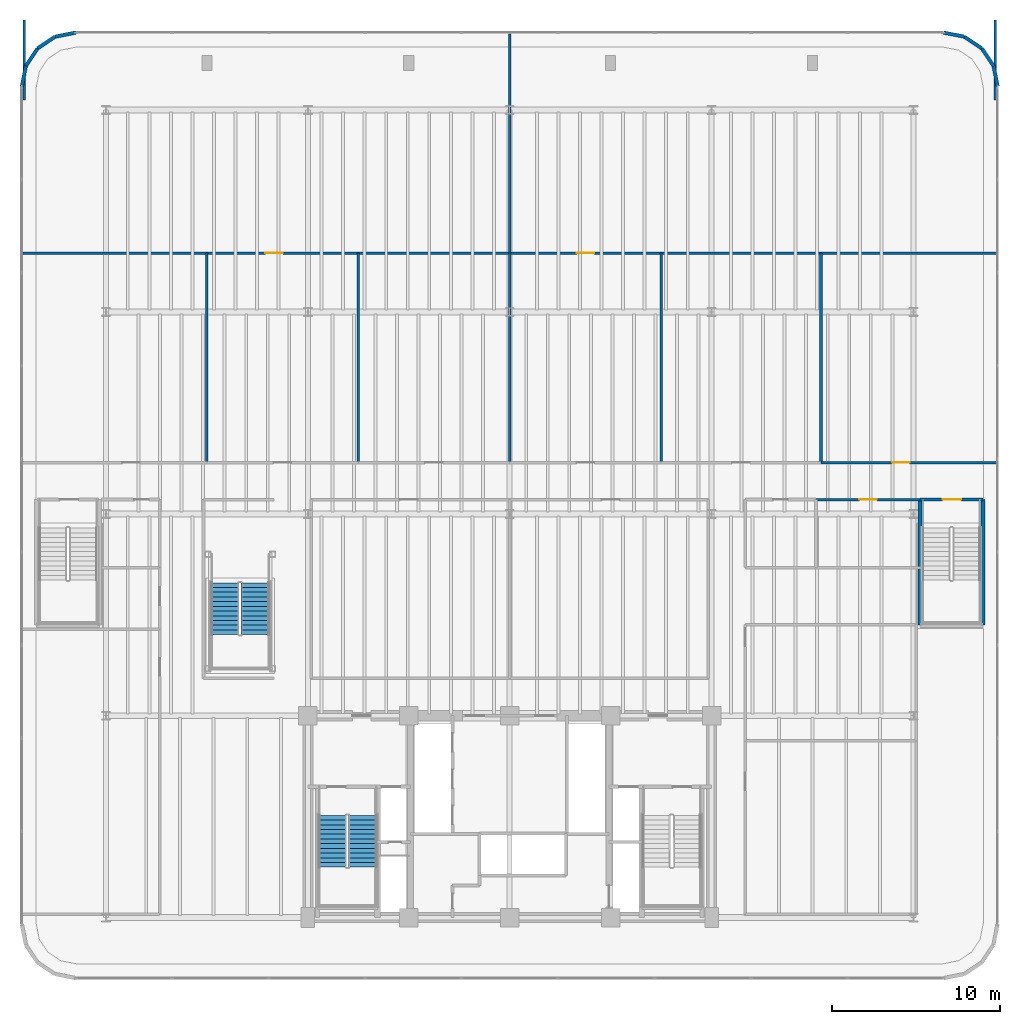
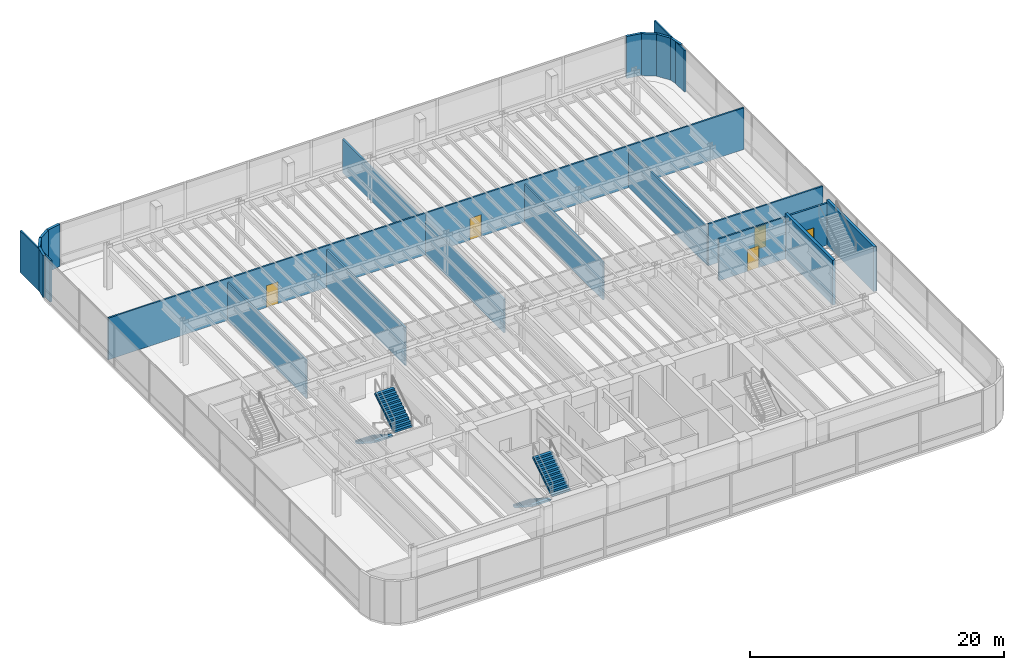
# One storey, part 14 of 18: 23 walls, 5 doors, 4 stair flights, 5 openings, 2 elements without a shape of their own.
"""IFC4 building model written with IfcOpenShell, lengths in metres."""

from ifc_helpers import new_model, si_unit, direction, frame, frame_2d, origin, origin_2d, place, context, subcontext, project, spatial, polyline, rectangle, outline, extrude, source, transform, mapped, material, layer, layer_set, type_object, element, fill, aggregate, save


model = new_model("IFC4")

# Units and contexts
model_context = context("Model", 3, precision=1e-05, world=origin(), true_north=direction((0.0, 1.0)))
body_context = subcontext(model_context, "Body", "Model", "MODEL_VIEW")
ifc_project = project(units=[si_unit("LENGTHUNIT", "METRE"), si_unit("AREAUNIT", "SQUARE_METRE"), si_unit("VOLUMEUNIT", "CUBIC_METRE"), si_unit("PLANEANGLEUNIT", "RADIAN"), si_unit("MASSUNIT", "GRAM", prefix="KILO")], contexts=[model_context])

# Site, building, storey
site_placement = place(None, origin())
site = spatial("IfcSite", under=ifc_project, at=site_placement, CompositionType="ELEMENT")
building_placement = place(site_placement, origin())
building = spatial("IfcBuilding", under=site, at=building_placement, Name="Brelvock Crest Care Tower", CompositionType="ELEMENT")
storey_placement = place(building_placement, frame((0.0, 0.0, 5.39990234375)))
storey = spatial("IfcBuildingStorey", under=building, at=storey_placement, Name="L01", CompositionType="ELEMENT", Elevation=5.39990234375)

# Walls
ifc_material_1 = material(Name="Concrete S80 (80 MPa)", Category="concrete")
ifc_layer_1 = layer(ifc_material_1, 0.25, Name="WL-CS6")
ifc_layer_set_1 = layer_set([ifc_layer_1], Name="Concrete S80 (80 MPa)")
wall_type_1 = type_object("IfcWallType", Name="WL-CS6", PredefinedType="SHEAR", material=ifc_layer_set_1)
for number, where, z_axis, x_axis, name in (
    (1, (60.3798828125, 23.3798828125, 0.0), (0.0, 0.0, 1.0), (0.0, 1.0, 0.0), "L01 Podium Stair ST-4 West Shear Wall"),
    (2, (64.1201171875, 23.3798828125, 0.0), (0.0, 0.0, 1.0), (0.0, 1.0, 0.0), "L01 Podium Stair ST-4 East Shear Wall"),
):
    element("IfcWall", number, at=place(storey_placement, frame(where, z_axis=z_axis, x_axis=x_axis)), inside=storey, type_object=wall_type_1, Name=name, PredefinedType="SHEAR", context=body_context, shape_type="SweptSolid", body=[
        extrude(rectangle(XDim=7.47021484375, YDim=0.25, at=frame_2d((3.735107421875, 0.0))), origin(), (0.0, 0.0, 1.0), 4.320068359375),
    ])
ifc_material_2 = material(Name="Precast concrete N40 (40 MPa)", Category="concrete")
ifc_layer_2 = layer(ifc_material_2, 0.215087890625, Name="WL-EX2")
ifc_layer_set_2 = layer_set([ifc_layer_2], Name="Precast concrete N40 (40 MPa)")
wall_type_2 = type_object("IfcWallType", Name="WL-EX2", PredefinedType="SOLIDWALL", material=ifc_layer_set_2)
for number, where, z_axis, x_axis, name in (
    (3, (7.0, 55.39990234375, 0.0), (0.0, 0.0, 1.0), (0.195138390419, 0.980775717779, 0.0), "L01 Rounded Corner Wall 05"),
    (4, (7.24365234375, 56.62451171875, 0.0), (0.0, 0.0, 1.0), (0.555557312883, 0.831478245117, 0.0), "L01 Rounded Corner Wall 06"),
    (5, (7.937255859375, 57.66259765625, 0.0), (0.0, 0.0, 1.0), (0.831387912822, 0.555692485475, 0.0), "L01 Rounded Corner Wall 07"),
    (6, (8.975341796875, 58.3564453125, 0.0), (0.0, 0.0, 1.0), (0.980775717779, 0.195138390419, 0.0), "L01 Rounded Corner Wall 08"),
    (7, (61.800048828125, 58.60009765625, 0.0), (0.0, 0.0, 1.0), (0.980775717779, -0.195138390419, 0.0), "L01 Rounded Corner Wall 10"),
    (8, (63.024658203125, 58.3564453125, 0.0), (0.0, 0.0, 1.0), (0.831387912822, -0.555692485475, 0.0), "L01 Rounded Corner Wall 11"),
    (9, (64.062744140625, 57.66259765625, 0.0), (0.0, 0.0, 1.0), (0.555557312883, -0.831478245117, 0.0), "L01 Rounded Corner Wall 12"),
    (10, (64.75634765625, 56.62451171875, 0.0), (0.0, 0.0, 1.0), (0.195138390419, -0.980775717779, 0.0), "L01 Rounded Corner Wall 13"),
):
    element("IfcWall", number, at=place(storey_placement, frame(where, z_axis=z_axis, x_axis=x_axis)), inside=storey, type_object=wall_type_2, Name=name, PredefinedType="SOLIDWALL", context=body_context, shape_type="SweptSolid", body=[
        extrude(rectangle(XDim=1.24853515625, YDim=0.215087890625, at=frame_2d((0.624267578125, 0.0))), origin(), (0.0, 0.0, 1.0), 4.0400390625),
    ])

# Wall, opening, door
ifc_material_3 = material(Name="Masonry Blockwork Acoustic Partition", Category="masonry")
ifc_layer_3 = layer(ifc_material_3, 0.14990234375, Name="WL-INT1")
ifc_layer_set_3 = layer_set([ifc_layer_3], Name="Masonry Blockwork Acoustic Partition")
wall_type_3 = type_object("IfcWallType", Name="WL-INT1", PredefinedType="PARTITIONING", material=ifc_layer_set_3)
wall_1_placement = place(storey_placement, frame((54.199951171875, 30.85009765625, 0.0), z_axis=(0.0, 0.0, 1.0), x_axis=(1.0, 0.0, 0.0)))
wall_1 = element("IfcWall", 11, at=wall_1_placement, inside=storey, type_object=wall_type_3, Name="L01 Interior Wall WL-RM-L01-REC2", PredefinedType="PARTITIONING", context=body_context, shape_type="SweptSolid", body=[
    extrude(rectangle(XDim=6.25, YDim=0.14990234375, at=frame_2d((3.125, 0.0))), origin(), (0.0, 0.0, 1.0), 4.010009765625),
])
opening_1_placement = place(wall_1_placement, frame((2.574951171875, 0.0, 0.0)))
opening_1 = element("IfcOpeningElement", 12, at=opening_1_placement, cuts=wall_1, Name="Opening CLD-1", PredefinedType="OPENING", context=body_context, shape_type="SweptSolid", body=[
    extrude(rectangle(XDim=1.050048828125, YDim=2.10009765625, at=origin_2d()), frame((0.52490234375, 0.0849609375, 1.050048828125), z_axis=(0.0, -1.0, 0.0), x_axis=(1.0, 0.0, 0.0)), (0.0, 0.0, 1.0), 0.169921875),
])
ifc_material_4 = material(Name="Engineered Hardwood Timber", Category="wood")
door_type_1 = type_object("IfcDoorType", Name="DR-CLN1", OperationType="NOTDEFINED", PredefinedType="DOOR", material=ifc_material_4)
shared_shape_1 = source(origin(), body_context, "Body", "SweptSolid", [
    extrude(rectangle(XDim=1.050048828125, YDim=2.10009765625, at=origin_2d()), frame((0.52490234375, 0.02490234375, 1.050048828125), z_axis=(0.0, -1.0, 0.0), x_axis=(1.0, 0.0, 0.0)), (0.0, 0.0, 1.0), 0.050048828125),
])
door_1_placement = place(opening_1_placement, origin())
door_1 = element("IfcDoor", 13, at=door_1_placement, inside=storey, type_object=door_type_1, Name="L01 Imaging Reception Office Door REC2", OperationType="SINGLE_SWING_LEFT", OverallHeight=2.10009765625, OverallWidth=1.050048828125, PredefinedType="DOOR", context=body_context, shape_type="MappedRepresentation", body=[
    mapped(shared_shape_1, transform((0.0, 0.0, 0.0), x_axis=(1.0, 0.0, 0.0), y_axis=(0.0, 1.0, 0.0), z_axis=(0.0, 0.0, 1.0), scale=1.0)),
])
fill(opening_1, door_1)

wall_2_placement = place(storey_placement, frame((54.5, 33.050048828125, 0.0), z_axis=(0.0, 0.0, 1.0), x_axis=(1.0, 0.0, 0.0)))
wall_2 = element("IfcWall", 14, at=wall_2_placement, inside=storey, type_object=wall_type_3, Name="L01 Interior Wall WL-RM-L01-CL8A", PredefinedType="PARTITIONING", context=body_context, shape_type="SweptSolid", body=[
    extrude(rectangle(XDim=10.419921875, YDim=0.14990234375, at=frame_2d((5.2099609375, 0.0))), origin(), (0.0, 0.0, 1.0), 4.010009765625),
])
opening_2_placement = place(wall_2_placement, frame((4.22509765625, 0.0, 0.0)))
opening_2 = element("IfcOpeningElement", 15, at=opening_2_placement, cuts=wall_2, Name="Opening CD-1", PredefinedType="OPENING", context=body_context, shape_type="SweptSolid", body=[
    extrude(rectangle(XDim=1.050048828125, YDim=2.10009765625, at=origin_2d()), frame((0.52490234375, 0.0849609375, 1.050048828125), z_axis=(0.0, -1.0, 0.0), x_axis=(1.0, 0.0, 0.0)), (0.0, 0.0, 1.0), 0.169921875),
])
door_type_2 = type_object("IfcDoorType", Name="DR-CARE1", OperationType="NOTDEFINED", PredefinedType="DOOR", material=ifc_material_4)
shared_shape_2 = source(origin(), body_context, "Body", "SweptSolid", [
    extrude(rectangle(XDim=1.050048828125, YDim=2.10009765625, at=origin_2d()), frame((0.52490234375, 0.02490234375, 1.050048828125), z_axis=(0.0, -1.0, 0.0), x_axis=(1.0, 0.0, 0.0)), (0.0, 0.0, 1.0), 0.050048828125),
])
door_2_placement = place(opening_2_placement, origin())
door_2 = element("IfcDoor", 16, at=door_2_placement, inside=storey, type_object=door_type_2, Name="L01 Day Infusion Lounge East Door CL8A", OperationType="SINGLE_SWING_LEFT", OverallHeight=2.10009765625, OverallWidth=1.050048828125, PredefinedType="DOOR", context=body_context, shape_type="MappedRepresentation", body=[
    mapped(shared_shape_2, transform((0.0, 0.0, 0.0), x_axis=(1.0, 0.0, 0.0), y_axis=(0.0, 1.0, 0.0), z_axis=(0.0, 0.0, 1.0), scale=1.0)),
])
fill(opening_2, door_2)

wall_3_placement = place(storey_placement, frame((7.080078125, 45.5, 0.0), z_axis=(0.0, 0.0, 1.0), x_axis=(1.0, 0.0, 0.0)))
wall_3 = element("IfcWall", 17, at=wall_3_placement, inside=storey, type_object=wall_type_3, Name="L01 Interior Wall WL-RM-L01-NLO1", PredefinedType="PARTITIONING", context=body_context, shape_type="SweptSolid", body=[
    extrude(rectangle(XDim=28.919921875, YDim=0.14990234375, at=frame_2d((14.4599609375, 0.0))), origin(), (0.0, 0.0, 1.0), 4.010009765625),
])
opening_3_placement = place(wall_3_placement, frame((14.39501953125, 0.0, 0.0)))
opening_3 = element("IfcOpeningElement", 18, at=opening_3_placement, cuts=wall_3, Name="Opening CLD-1", PredefinedType="OPENING", context=body_context, shape_type="SweptSolid", body=[
    extrude(rectangle(XDim=1.050048828125, YDim=2.10009765625, at=origin_2d()), frame((0.52490234375, 0.0849609375, 1.050048828125), z_axis=(0.0, -1.0, 0.0), x_axis=(1.0, 0.0, 0.0)), (0.0, 0.0, 1.0), 0.169921875),
])
door_3_placement = place(opening_3_placement, origin())
door_3 = element("IfcDoor", 19, at=door_3_placement, inside=storey, type_object=door_type_1, Name="L01 North Allied Recovery Salon Door NLO1", OperationType="SINGLE_SWING_LEFT", OverallHeight=2.10009765625, OverallWidth=1.050048828125, PredefinedType="DOOR", context=body_context, shape_type="MappedRepresentation", body=[
    mapped(shared_shape_1, transform((0.0, 0.0, 0.0), x_axis=(1.0, 0.0, 0.0), y_axis=(0.0, 1.0, 0.0), z_axis=(0.0, 0.0, 1.0), scale=1.0)),
])
fill(opening_3, door_3)

wall_4_placement = place(storey_placement, frame((36.0, 45.5, 0.0), z_axis=(0.0, 0.0, 1.0), x_axis=(1.0, 0.0, 0.0)))
wall_4 = element("IfcWall", 20, at=wall_4_placement, inside=storey, type_object=wall_type_3, Name="L01 Interior Wall WL-RM-L01-NLO2", PredefinedType="PARTITIONING", context=body_context, shape_type="SweptSolid", body=[
    extrude(rectangle(XDim=28.919921875, YDim=0.14990234375, at=frame_2d((14.4599609375, 0.0))), origin(), (0.0, 0.0, 1.0), 4.010009765625),
])
opening_4_placement = place(wall_4_placement, frame((3.97509765625, 0.0, 0.0)))
opening_4 = element("IfcOpeningElement", 21, at=opening_4_placement, cuts=wall_4, Name="Opening CLD-1", PredefinedType="OPENING", context=body_context, shape_type="SweptSolid", body=[
    extrude(rectangle(XDim=1.050048828125, YDim=2.10009765625, at=origin_2d()), frame((0.52490234375, 0.0849609375, 1.050048828125), z_axis=(0.0, -1.0, 0.0), x_axis=(1.0, 0.0, 0.0)), (0.0, 0.0, 1.0), 0.169921875),
])
door_4_placement = place(opening_4_placement, origin())
door_4 = element("IfcDoor", 22, at=door_4_placement, inside=storey, type_object=door_type_1, Name="L01 North Family Education Lounge Door NLO2", OperationType="SINGLE_SWING_LEFT", OverallHeight=2.10009765625, OverallWidth=1.050048828125, PredefinedType="DOOR", context=body_context, shape_type="MappedRepresentation", body=[
    mapped(shared_shape_1, transform((0.0, 0.0, 0.0), x_axis=(1.0, 0.0, 0.0), y_axis=(0.0, 1.0, 0.0), z_axis=(0.0, 0.0, 1.0), scale=1.0)),
])
fill(opening_4, door_4)

# Walls
wall_5_placement = place(storey_placement, frame((7.14990234375, 54.596435546875, 0.0), z_axis=(0.0, 0.0, 1.0), x_axis=(0.0, 1.0, 0.0)))
element("IfcWall", 23, at=wall_5_placement, inside=storey, type_object=wall_type_3, Name="L01 Interior Wall WL-BX-L01-NLO1-W", PredefinedType="PARTITIONING", context=body_context, shape_type="SweptSolid", body=[
    extrude(rectangle(XDim=4.753662109375, YDim=0.14990234375, at=frame_2d((2.376953125, 0.0))), origin(), (0.0, 0.0, 1.0), 4.010009765625),
])
for number, where, z_axis, x_axis, name in (
    (24, (18.0, 33.050048828125, 0.0), (0.0, 0.0, 1.0), (0.0, 1.0, 0.0), "L01 Interior Wall WL-BX-L01-CL5A-E"),
    (25, (27.0, 33.050048828125, 0.0), (0.0, 0.0, 1.0), (0.0, 1.0, 0.0), "L01 Interior Wall WL-BX-L01-CL5B-E"),
):
    element("IfcWall", number, at=place(storey_placement, frame(where, z_axis=z_axis, x_axis=x_axis)), inside=storey, type_object=wall_type_3, Name=name, PredefinedType="PARTITIONING", context=body_context, shape_type="SweptSolid", body=[
        extrude(rectangle(XDim=12.449951171875, YDim=0.14990234375, at=frame_2d((6.22509765625, 0.0))), origin(), (0.0, 0.0, 1.0), 3.666015625),
    ])
wall_6_placement = place(storey_placement, frame((36.0, 33.050048828125, 0.0), z_axis=(0.0, 0.0, 1.0), x_axis=(0.0, 1.0, 0.0)))
element("IfcWall", 26, at=wall_6_placement, inside=storey, type_object=wall_type_3, Name="L01 Interior Wall WL-BX-L01-CL6A-E", PredefinedType="PARTITIONING", context=body_context, shape_type="SweptSolid", body=[
    extrude(rectangle(XDim=12.449951171875, YDim=0.14990234375, at=frame_2d((6.22509765625, 0.0))), origin(), (0.0, 0.0, 1.0), 3.22509765625),
])
wall_7_placement = place(storey_placement, frame((36.0, 45.5, 0.0), z_axis=(0.0, 0.0, 1.0), x_axis=(0.0, 1.0, 0.0)))
element("IfcWall", 27, at=wall_7_placement, inside=storey, type_object=wall_type_3, Name="L01 Interior Wall WL-BX-L01-NLO1-E", PredefinedType="PARTITIONING", context=body_context, shape_type="SweptSolid", body=[
    extrude(rectangle(XDim=13.02001953125, YDim=0.14990234375, at=frame_2d((6.510009765625, 0.0))), origin(), (0.0, 0.0, 1.0), 3.22509765625),
])
for number, where, z_axis, x_axis, name in (
    (28, (45.0, 33.050048828125, 0.0), (0.0, 0.0, 1.0), (0.0, 1.0, 0.0), "L01 Interior Wall WL-BX-L01-CL6B-E"),
    (29, (54.5, 33.050048828125, 0.0), (0.0, 0.0, 1.0), (0.0, 1.0, 0.0), "L01 Interior Wall WL-BX-L01-CL7A-E"),
):
    element("IfcWall", number, at=place(storey_placement, frame(where, z_axis=z_axis, x_axis=x_axis)), inside=storey, type_object=wall_type_3, Name=name, PredefinedType="PARTITIONING", context=body_context, shape_type="SweptSolid", body=[
        extrude(rectangle(XDim=12.449951171875, YDim=0.14990234375, at=frame_2d((6.22509765625, 0.0))), origin(), (0.0, 0.0, 1.0), 3.666015625),
    ])
wall_8_placement = place(storey_placement, frame((64.85009765625, 54.596435546875, 0.0), z_axis=(0.0, 0.0, 1.0), x_axis=(0.0, 1.0, 0.0)))
element("IfcWall", 30, at=wall_8_placement, inside=storey, type_object=wall_type_3, Name="L01 Interior Wall WL-BX-L01-NLO2-E", PredefinedType="PARTITIONING", context=body_context, shape_type="SweptSolid", body=[
    extrude(rectangle(XDim=4.753662109375, YDim=0.14990234375, at=frame_2d((2.376953125, 0.0))), origin(), (0.0, 0.0, 1.0), 4.010009765625),
])

# Wall, opening, door
ifc_layer_4 = layer(ifc_material_3, 0.179931640625, Name="WL-SHF1")
ifc_layer_set_4 = layer_set([ifc_layer_4], Name="Masonry Blockwork Acoustic Partition")
wall_type_4 = type_object("IfcWallType", Name="WL-SHF1", PredefinedType="PARTITIONING", material=ifc_layer_set_4)
wall_9_placement = place(storey_placement, frame((60.3798828125, 30.85009765625, 0.0), z_axis=(0.0, 0.0, 1.0), x_axis=(1.0, 0.0, 0.0)))
wall_9 = element("IfcWall", 31, at=wall_9_placement, inside=storey, type_object=wall_type_4, Name="L01 Interior Wall WL-ST4-N-L01", PredefinedType="PARTITIONING", context=body_context, shape_type="SweptSolid", body=[
    extrude(rectangle(XDim=3.740234375, YDim=0.179931640625, at=frame_2d((1.8701171875, 0.0))), origin(), (0.0, 0.0, 1.0), 4.0400390625),
])
opening_5_placement = place(wall_9_placement, frame((1.35009765625, 0.0, 0.0)))
opening_5 = element("IfcOpeningElement", 32, at=opening_5_placement, cuts=wall_9, Name="Opening SD-1", PredefinedType="OPENING", context=body_context, shape_type="SweptSolid", body=[
    extrude(rectangle(XDim=1.10009765625, YDim=2.10009765625, at=origin_2d()), frame((0.550048828125, 0.10009765625, 1.050048828125), z_axis=(0.0, -1.0, 0.0), x_axis=(1.0, 0.0, 0.0)), (0.0, 0.0, 1.0), 0.199951171875),
])
ifc_material_5 = material(Name="Steel Grade 350", Category="steel")
door_type_3 = type_object("IfcDoorType", Name="DR-ST1", OperationType="NOTDEFINED", PredefinedType="DOOR", material=ifc_material_5)
shared_shape_3 = source(origin(), body_context, "Body", "SweptSolid", [
    extrude(rectangle(XDim=1.10009765625, YDim=2.10009765625, at=origin_2d()), frame((0.550048828125, 0.02490234375, 1.050048828125), z_axis=(0.0, -1.0, 0.0), x_axis=(1.0, 0.0, 0.0)), (0.0, 0.0, 1.0), 0.050048828125),
])
door_5_placement = place(opening_5_placement, origin())
door_5 = element("IfcDoor", 33, at=door_5_placement, inside=storey, type_object=door_type_3, Name="L01 Podium Stair ST-4 Door", OperationType="SINGLE_SWING_RIGHT", OverallHeight=2.10009765625, OverallWidth=1.10009765625, PredefinedType="DOOR", context=body_context, shape_type="MappedRepresentation", body=[
    mapped(shared_shape_3, transform((0.0, 0.0, 0.0), x_axis=(1.0, 0.0, 0.0), y_axis=(0.0, 1.0, 0.0), z_axis=(0.0, 0.0, 1.0), scale=1.0)),
])
fill(opening_5, door_5)

# Stair, stair flights
ifc_material_6 = material(Name="Concrete N40 (40 MPa)", Category="concrete")
stair_type_1 = type_object("IfcStairType", Name="ST-CORE1", PredefinedType="HALF_TURN_STAIR", material=ifc_material_6)
stair_1_placement = place(storey_placement, origin())
stair_1 = element("IfcStair", 34, at=stair_1_placement, inside=storey, type_object=stair_type_1, Name="L01 Fire-Isolated Core Stair ST-1", PredefinedType="HALF_TURN_STAIR")
stair_flight_type = type_object("IfcStairFlightType", Name="STF-1", PredefinedType="STRAIGHT", material=ifc_material_6)
stair_flight_1_placement = place(storey_placement, frame((25.469970703125, 12.080078125, 0.0), z_axis=(0.0, 0.0, 1.0), x_axis=(0.0, -1.0, 0.0)))
stair_flight_1 = element("IfcStairFlight", 35, at=stair_flight_1_placement, type_object=stair_flight_type, Name="ST-1 flight 1", NumberOfRisers=12, NumberOfTreads=11, PredefinedType="STRAIGHT", RiserHeight=0.18, TreadLength=0.28, context=body_context, shape_type="SweptSolid", body=[
    extrude(outline(polyline([(-0.00390625, -0.014892578125), (-0.00390625, -0.008056640625), (-0.00390625, -0.0009765625), (-0.00390625, 0.005859375), (-0.00390625, 0.012939453125), (-0.00390625, 0.019775390625), (-0.00390625, 0.02685546875), (-0.00390625, 0.03369140625), (-0.00390625, 0.040771484375), (-0.00390625, 0.047607421875), (-0.00390625, 0.0546875), (-0.00390625, 0.0615234375), (-0.00390625, 0.068603515625), (-0.00390625, 0.075439453125), (-0.00390625, 0.08251953125), (-0.00390625, 0.08935546875), (-0.00390625, 0.096435546875), (-0.00390625, 0.103271484375), (-0.00390625, 0.1103515625), (-0.00390625, 0.117431640625), (-0.00390625, 0.124267578125), (-0.00390625, 0.13134765625), (-0.00390625, 0.13818359375), (-0.00390625, 0.145263671875), (-0.00390625, 0.152099609375), (-0.00390625, 0.1591796875), (-0.00390625, 0.166015625), (-0.00390625, 0.173095703125), (-0.00390625, 0.179931640625), (0.0, 0.179931640625), (0.280029296875, 0.179931640625), (0.280029296875, 0.360107421875), (0.56005859375, 0.360107421875), (0.56005859375, 0.5400390625), (0.840087890625, 0.5400390625), (0.840087890625, 0.719970703125), (1.1201171875, 0.719970703125), (1.1201171875, 0.89990234375), (1.39990234375, 0.89990234375), (1.39990234375, 1.080078125), (1.679931640625, 1.080078125), (1.679931640625, 1.260009765625), (1.9599609375, 1.260009765625), (1.9599609375, 1.43994140625), (2.239990234375, 1.43994140625), (2.239990234375, 1.6201171875), (2.52001953125, 1.6201171875), (2.52001953125, 1.800048828125), (2.800048828125, 1.800048828125), (2.800048828125, 1.97998046875), (3.080078125, 1.97998046875), (3.083984375, 1.97998046875), (3.083740234375, 1.979248046875), (3.083984375, 1.978759765625), (3.083740234375, 1.97802734375), (3.083984375, 1.9775390625), (3.083740234375, 1.976806640625), (3.083984375, 1.97607421875), (3.083740234375, 1.9755859375), (3.083984375, 1.974853515625), (3.083740234375, 1.97412109375), (3.083984375, 1.9736328125), (3.083740234375, 1.972900390625), (3.083984375, 1.97216796875), (3.083740234375, 1.9716796875), (3.083984375, 1.970947265625), (3.083740234375, 1.970458984375), (3.083984375, 1.9697265625), (3.083740234375, 1.968994140625), (3.083984375, 1.968505859375), (3.083740234375, 1.9677734375), (3.083984375, 1.967041015625), (3.083740234375, 1.966552734375), (3.083984375, 1.9658203125), (3.083740234375, 1.96533203125), (3.083984375, 1.964599609375), (3.083740234375, 1.9638671875), (3.083984375, 1.96337890625), (3.083740234375, 1.962646484375), (3.083984375, 1.9619140625), (3.080078125, 1.8017578125), (0.277099609375, 0.0), (0.0, 0.0), (0.0, -0.014892578125), (-0.00390625, -0.014892578125)])), frame((0.0, 0.83984375, 0.0), z_axis=(0.0, -1.0, 0.0), x_axis=(1.0, 0.0, 0.0)), (0.0, 0.0, 1.0), 1.679931640625),
])
stair_flight_2_placement = place(storey_placement, frame((27.27001953125, 9.0, 2.16015625), z_axis=(0.0, 0.0, 1.0), x_axis=(0.0, 1.0, 0.0)))
stair_flight_2 = element("IfcStairFlight", 36, at=stair_flight_2_placement, type_object=stair_flight_type, Name="ST-1 flight 2", NumberOfRisers=12, NumberOfTreads=11, PredefinedType="STRAIGHT", RiserHeight=0.18, TreadLength=0.28, context=body_context, shape_type="SweptSolid", body=[
    extrude(outline(polyline([(-0.00390625, -0.014892578125), (-0.00390625, -0.008056640625), (-0.00390625, -0.0009765625), (-0.00390625, 0.005859375), (-0.00390625, 0.012939453125), (-0.00390625, 0.019775390625), (-0.00390625, 0.02685546875), (-0.00390625, 0.03369140625), (-0.00390625, 0.040771484375), (-0.00390625, 0.047607421875), (-0.00390625, 0.0546875), (-0.00390625, 0.0615234375), (-0.00390625, 0.068603515625), (-0.00390625, 0.075439453125), (-0.00390625, 0.08251953125), (-0.00390625, 0.08935546875), (-0.00390625, 0.096435546875), (-0.00390625, 0.103271484375), (-0.00390625, 0.1103515625), (-0.00390625, 0.117431640625), (-0.00390625, 0.124267578125), (-0.00390625, 0.13134765625), (-0.00390625, 0.13818359375), (-0.00390625, 0.145263671875), (-0.00390625, 0.152099609375), (-0.00390625, 0.1591796875), (-0.00390625, 0.166015625), (-0.00390625, 0.173095703125), (-0.00390625, 0.179931640625), (0.0, 0.179931640625), (0.280029296875, 0.179931640625), (0.280029296875, 0.360107421875), (0.56005859375, 0.360107421875), (0.56005859375, 0.5400390625), (0.840087890625, 0.5400390625), (0.840087890625, 0.719970703125), (1.1201171875, 0.719970703125), (1.1201171875, 0.89990234375), (1.39990234375, 0.89990234375), (1.39990234375, 1.080078125), (1.679931640625, 1.080078125), (1.679931640625, 1.260009765625), (1.9599609375, 1.260009765625), (1.9599609375, 1.43994140625), (2.239990234375, 1.43994140625), (2.239990234375, 1.6201171875), (2.52001953125, 1.6201171875), (2.52001953125, 1.800048828125), (2.800048828125, 1.800048828125), (2.800048828125, 1.97998046875), (3.080078125, 1.97998046875), (3.083984375, 1.97998046875), (3.083740234375, 1.979248046875), (3.083984375, 1.978759765625), (3.083740234375, 1.97802734375), (3.083984375, 1.9775390625), (3.083740234375, 1.976806640625), (3.083984375, 1.97607421875), (3.083740234375, 1.9755859375), (3.083984375, 1.974853515625), (3.083740234375, 1.97412109375), (3.083984375, 1.9736328125), (3.083740234375, 1.972900390625), (3.083984375, 1.97216796875), (3.083740234375, 1.9716796875), (3.083984375, 1.970947265625), (3.083740234375, 1.970458984375), (3.083984375, 1.9697265625), (3.083740234375, 1.968994140625), (3.083984375, 1.968505859375), (3.083740234375, 1.9677734375), (3.083984375, 1.967041015625), (3.083740234375, 1.966552734375), (3.083984375, 1.9658203125), (3.083740234375, 1.96533203125), (3.083984375, 1.964599609375), (3.083740234375, 1.9638671875), (3.083984375, 1.96337890625), (3.083740234375, 1.962646484375), (3.083984375, 1.9619140625), (3.080078125, 1.8017578125), (0.277099609375, 0.0), (0.0, 0.0), (0.0, -0.014892578125), (-0.00390625, -0.014892578125)])), frame((0.0, 0.83984375, 0.0), z_axis=(0.0, -1.0, 0.0), x_axis=(1.0, 0.0, 0.0)), (0.0, 0.0, 1.0), 1.679931640625),
])
aggregate(stair_1, [stair_flight_1, stair_flight_2])

stair_type_2 = type_object("IfcStairType", Name="ST-FEA1", PredefinedType="HALF_TURN_STAIR", material=ifc_material_6)
stair_2_placement = place(storey_placement, origin())
stair_2 = element("IfcStair", 37, at=stair_2_placement, inside=storey, type_object=stair_type_2, Name="L01 Clinic Atrium Feature Stair ST-5", PredefinedType="HALF_TURN_STAIR")
stair_flight_3_placement = place(storey_placement, frame((19.080078125, 25.89990234375, 0.0), z_axis=(0.0, 0.0, 1.0), x_axis=(0.0, -1.0, 0.0)))
stair_flight_3 = element("IfcStairFlight", 38, at=stair_flight_3_placement, type_object=stair_flight_type, Name="ST-5 flight 1", NumberOfRisers=12, NumberOfTreads=11, PredefinedType="STRAIGHT", RiserHeight=0.18, TreadLength=0.28, context=body_context, shape_type="SweptSolid", body=[
    extrude(outline(polyline([(-0.00390625, -0.014892578125), (-0.00390625, -0.008056640625), (-0.00390625, -0.0009765625), (-0.00390625, 0.005859375), (-0.00390625, 0.012939453125), (-0.00390625, 0.019775390625), (-0.00390625, 0.02685546875), (-0.00390625, 0.03369140625), (-0.00390625, 0.040771484375), (-0.00390625, 0.047607421875), (-0.00390625, 0.0546875), (-0.00390625, 0.0615234375), (-0.00390625, 0.068603515625), (-0.00390625, 0.075439453125), (-0.00390625, 0.08251953125), (-0.00390625, 0.08935546875), (-0.00390625, 0.096435546875), (-0.00390625, 0.103271484375), (-0.00390625, 0.1103515625), (-0.00390625, 0.117431640625), (-0.00390625, 0.124267578125), (-0.00390625, 0.13134765625), (-0.00390625, 0.13818359375), (-0.00390625, 0.145263671875), (-0.00390625, 0.152099609375), (-0.00390625, 0.1591796875), (-0.00390625, 0.166015625), (-0.00390625, 0.173095703125), (-0.00390625, 0.179931640625), (0.0, 0.179931640625), (0.280029296875, 0.179931640625), (0.280029296875, 0.360107421875), (0.56005859375, 0.360107421875), (0.56005859375, 0.5400390625), (0.840087890625, 0.5400390625), (0.840087890625, 0.719970703125), (1.1201171875, 0.719970703125), (1.1201171875, 0.89990234375), (1.39990234375, 0.89990234375), (1.39990234375, 1.080078125), (1.679931640625, 1.080078125), (1.679931640625, 1.260009765625), (1.9599609375, 1.260009765625), (1.9599609375, 1.43994140625), (2.239990234375, 1.43994140625), (2.239990234375, 1.6201171875), (2.52001953125, 1.6201171875), (2.52001953125, 1.800048828125), (2.800048828125, 1.800048828125), (2.800048828125, 1.97998046875), (3.080078125, 1.97998046875), (3.083984375, 1.97998046875), (3.083740234375, 1.979248046875), (3.083984375, 1.978759765625), (3.083740234375, 1.97802734375), (3.083984375, 1.9775390625), (3.083740234375, 1.976806640625), (3.083984375, 1.97607421875), (3.083740234375, 1.9755859375), (3.083984375, 1.974853515625), (3.083740234375, 1.97412109375), (3.083984375, 1.9736328125), (3.083740234375, 1.972900390625), (3.083984375, 1.97216796875), (3.083740234375, 1.9716796875), (3.083984375, 1.970947265625), (3.083740234375, 1.970458984375), (3.083984375, 1.9697265625), (3.083740234375, 1.968994140625), (3.083984375, 1.968505859375), (3.083740234375, 1.9677734375), (3.083984375, 1.967041015625), (3.083740234375, 1.966552734375), (3.083984375, 1.9658203125), (3.083740234375, 1.96533203125), (3.083984375, 1.964599609375), (3.083740234375, 1.9638671875), (3.083984375, 1.96337890625), (3.083740234375, 1.962646484375), (3.083984375, 1.9619140625), (3.080078125, 1.8017578125), (0.277099609375, 0.0), (0.0, 0.0), (0.0, -0.014892578125), (-0.00390625, -0.014892578125)])), frame((0.0, 0.83984375, 0.0), z_axis=(0.0, -1.0, 0.0), x_axis=(1.0, 0.0, 0.0)), (0.0, 0.0, 1.0), 1.679931640625),
])
stair_flight_4_placement = place(storey_placement, frame((20.8798828125, 22.820068359375, 2.16015625), z_axis=(0.0, 0.0, 1.0), x_axis=(0.0, 1.0, 0.0)))
stair_flight_4 = element("IfcStairFlight", 39, at=stair_flight_4_placement, type_object=stair_flight_type, Name="ST-5 flight 2", NumberOfRisers=12, NumberOfTreads=11, PredefinedType="STRAIGHT", RiserHeight=0.18, TreadLength=0.28, context=body_context, shape_type="SweptSolid", body=[
    extrude(outline(polyline([(-0.00390625, -0.014892578125), (-0.00390625, -0.008056640625), (-0.00390625, -0.0009765625), (-0.00390625, 0.005859375), (-0.00390625, 0.012939453125), (-0.00390625, 0.019775390625), (-0.00390625, 0.02685546875), (-0.00390625, 0.03369140625), (-0.00390625, 0.040771484375), (-0.00390625, 0.047607421875), (-0.00390625, 0.0546875), (-0.00390625, 0.0615234375), (-0.00390625, 0.068603515625), (-0.00390625, 0.075439453125), (-0.00390625, 0.08251953125), (-0.00390625, 0.08935546875), (-0.00390625, 0.096435546875), (-0.00390625, 0.103271484375), (-0.00390625, 0.1103515625), (-0.00390625, 0.117431640625), (-0.00390625, 0.124267578125), (-0.00390625, 0.13134765625), (-0.00390625, 0.13818359375), (-0.00390625, 0.145263671875), (-0.00390625, 0.152099609375), (-0.00390625, 0.1591796875), (-0.00390625, 0.166015625), (-0.00390625, 0.173095703125), (-0.00390625, 0.179931640625), (0.0, 0.179931640625), (0.280029296875, 0.179931640625), (0.280029296875, 0.360107421875), (0.56005859375, 0.360107421875), (0.56005859375, 0.5400390625), (0.840087890625, 0.5400390625), (0.840087890625, 0.719970703125), (1.1201171875, 0.719970703125), (1.1201171875, 0.89990234375), (1.39990234375, 0.89990234375), (1.39990234375, 1.080078125), (1.679931640625, 1.080078125), (1.679931640625, 1.260009765625), (1.9599609375, 1.260009765625), (1.9599609375, 1.43994140625), (2.239990234375, 1.43994140625), (2.239990234375, 1.6201171875), (2.52001953125, 1.6201171875), (2.52001953125, 1.800048828125), (2.800048828125, 1.800048828125), (2.800048828125, 1.97998046875), (3.080078125, 1.97998046875), (3.083984375, 1.97998046875), (3.083740234375, 1.979248046875), (3.083984375, 1.978759765625), (3.083740234375, 1.97802734375), (3.083984375, 1.9775390625), (3.083740234375, 1.976806640625), (3.083984375, 1.97607421875), (3.083740234375, 1.9755859375), (3.083984375, 1.974853515625), (3.083740234375, 1.97412109375), (3.083984375, 1.9736328125), (3.083740234375, 1.972900390625), (3.083984375, 1.97216796875), (3.083740234375, 1.9716796875), (3.083984375, 1.970947265625), (3.083740234375, 1.970458984375), (3.083984375, 1.9697265625), (3.083740234375, 1.968994140625), (3.083984375, 1.968505859375), (3.083740234375, 1.9677734375), (3.083984375, 1.967041015625), (3.083740234375, 1.966552734375), (3.083984375, 1.9658203125), (3.083740234375, 1.96533203125), (3.083984375, 1.964599609375), (3.083740234375, 1.9638671875), (3.083984375, 1.96337890625), (3.083740234375, 1.962646484375), (3.083984375, 1.9619140625), (3.080078125, 1.8017578125), (0.277099609375, 0.0), (0.0, 0.0), (0.0, -0.014892578125), (-0.00390625, -0.014892578125)])), frame((0.0, 0.83984375, 0.0), z_axis=(0.0, -1.0, 0.0), x_axis=(1.0, 0.0, 0.0)), (0.0, 0.0, 1.0), 1.679931640625),
])
aggregate(stair_2, [stair_flight_3, stair_flight_4])

save(model, "model.ifc")
